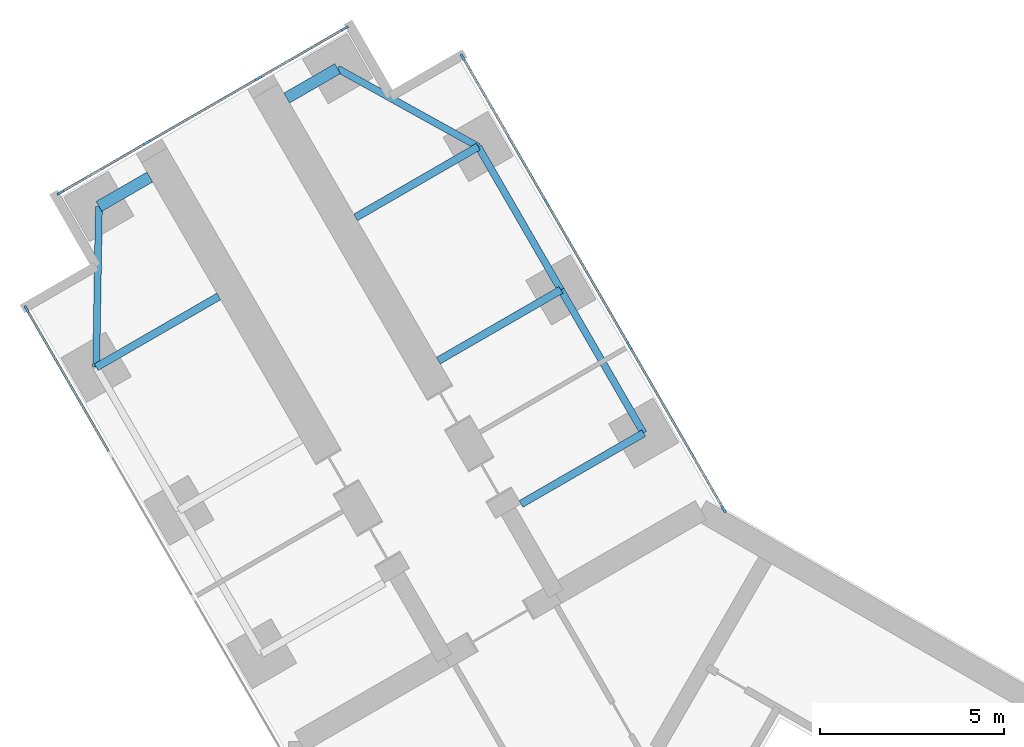
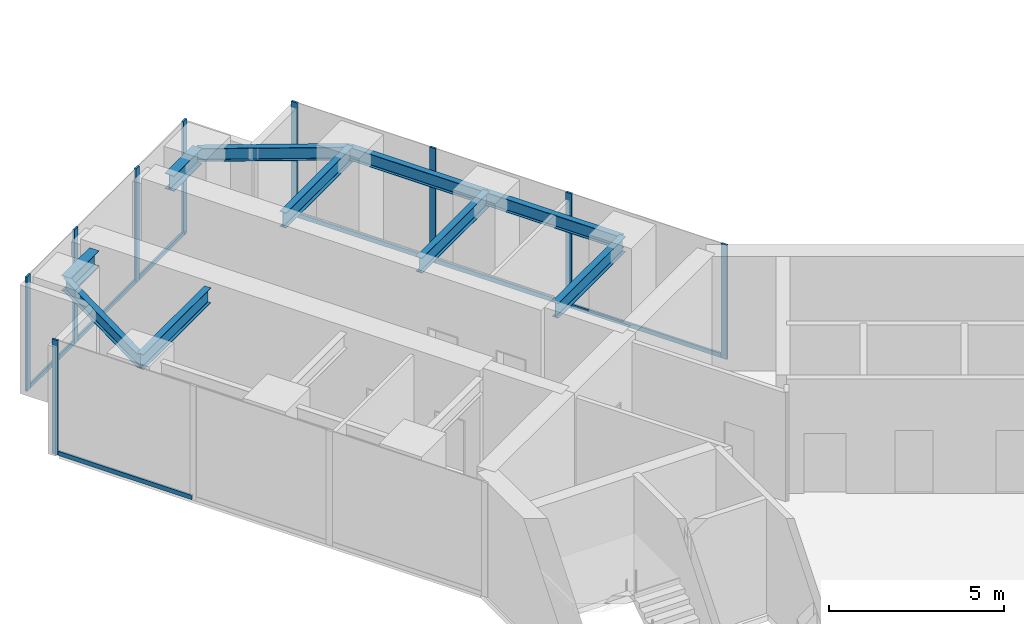
# One storey, part 6 of 22: 16 members, 10 beams, 3 elements without a shape of their own.
"""IFC4 building model written with IfcOpenShell, lengths in metres."""

from ifc_helpers import new_model, si_unit, direction, frame, origin, origin_2d, place, context, subcontext, project, spatial, rectangle, i_section, extrude, material, material_profile, profile_set, type_object, element, aggregate, save


model = new_model("IFC4")

# Units and contexts
model_context = context("Model", 3, precision=1e-05, world=origin(), true_north=direction((0.0, 1.0)))
body_context = subcontext(model_context, "Body", "Model", "MODEL_VIEW")
ifc_project = project(units=[si_unit("LENGTHUNIT", "METRE"), si_unit("AREAUNIT", "SQUARE_METRE"), si_unit("VOLUMEUNIT", "CUBIC_METRE"), si_unit("PLANEANGLEUNIT", "RADIAN"), si_unit("MASSUNIT", "GRAM", prefix="KILO")], contexts=[model_context])

# Site, building, storey
site_placement = place(None, origin())
site = spatial("IfcSite", under=ifc_project, at=site_placement, CompositionType="ELEMENT")
building_placement = place(site_placement, origin())
building = spatial("IfcBuilding", under=site, at=building_placement, Name="Upepo Twin Towers", CompositionType="ELEMENT")
storey_placement = place(building_placement, frame((0.0, 0.0, 97.5)))
storey = spatial("IfcBuildingStorey", under=building, at=storey_placement, Name="L23", CompositionType="ELEMENT", Elevation=97.5)

# Beams
ifc_material_1 = material(Name="Steel S355", Category="steel")
ifc_material_profile_1 = material_profile(ifc_material_1, i_section(OverallWidth=0.1904296875, OverallDepth=0.45703125, WebThickness=0.009033203125, FlangeThickness=0.014404296875, FilletRadius=0.01025390625, at=origin_2d()), Name="UB 457x191x74")
ifc_profile_set_1 = profile_set([ifc_material_profile_1], Name="Steel S355")
beam_type_1 = type_object("IfcBeamType", Name="Beam UB 457x191x74", PredefinedType="BEAM", material=ifc_profile_set_1)
beam_1_placement = place(storey_placement, frame((-16.446044921875, 16.485595703125, 3.571533203125), z_axis=(0.016803880528, 0.999858804832, 0.0), x_axis=(-0.999858804832, 0.016803880528, 0.0)))
element("IfcBeam", 1, at=beam_1_placement, inside=storey, type_object=beam_type_1, Name="T1 nose edge beam BL", PredefinedType="BEAM", context=body_context, shape_type="SweptSolid", body=[
    extrude(i_section(OverallWidth=0.1904296875, OverallDepth=0.45703125, WebThickness=0.009033203125, FlangeThickness=0.014404296875, FilletRadius=0.01025390625, at=origin_2d()), origin(), (0.0, 0.0, 1.0), 4.373291015625),
])
beam_2_placement = place(storey_placement, frame((-1.553955078125, 14.69140625, 3.571533203125), z_axis=(-0.500013631625, 0.866017533419, 0.0), x_axis=(-0.866017533419, -0.500013631625, 0.0)))
element("IfcBeam", 2, at=beam_2_placement, inside=storey, type_object=beam_type_1, Name="T1 edge beam BR 13.5-18.0", PredefinedType="BEAM", context=body_context, shape_type="SweptSolid", body=[
    extrude(i_section(OverallWidth=0.1904296875, OverallDepth=0.45703125, WebThickness=0.009033203125, FlangeThickness=0.014404296875, FilletRadius=0.01025390625, at=origin_2d()), origin(), (0.0, 0.0, 1.0), 4.499755859375),
])
beam_3_placement = place(storey_placement, frame((-3.803955078125, 18.58837890625, 3.571533203125), z_axis=(-0.499990139034, 0.866031096941, 0.0), x_axis=(-0.866031096941, -0.499990139034, 0.0)))
element("IfcBeam", 3, at=beam_3_placement, inside=storey, type_object=beam_type_1, Name="T1 edge beam BR 18.0-22.5", PredefinedType="BEAM", context=body_context, shape_type="SweptSolid", body=[
    extrude(i_section(OverallWidth=0.1904296875, OverallDepth=0.45703125, WebThickness=0.009033203125, FlangeThickness=0.014404296875, FilletRadius=0.01025390625, at=origin_2d()), origin(), (0.0, 0.0, 1.0), 4.5),
])
beam_4_placement = place(storey_placement, frame((-6.053955078125, 22.485595703125, 3.571533203125), z_axis=(-0.874312600038, 0.485363242752, 0.0), x_axis=(-0.485363242752, -0.874312600038, 0.0)))
element("IfcBeam", 4, at=beam_4_placement, inside=storey, type_object=beam_type_1, Name="T1 nose edge beam BR", PredefinedType="BEAM", context=body_context, shape_type="SweptSolid", body=[
    extrude(i_section(OverallWidth=0.1904296875, OverallDepth=0.45703125, WebThickness=0.009033203125, FlangeThickness=0.014404296875, FilletRadius=0.01025390625, at=origin_2d()), origin(), (0.0, 0.0, 1.0), 4.373046875),
])
ifc_material_2 = material(Name="Steel S355", Category="steel")
ifc_material_profile_2 = material_profile(ifc_material_2, i_section(OverallWidth=0.209228515625, OverallDepth=0.533203125, WebThickness=0.010009765625, FlangeThickness=0.015625, FilletRadius=0.0126953125, at=origin_2d()), Name="UB 533x210x92")
ifc_profile_set_2 = profile_set([ifc_material_profile_2], Name="Steel S355")
beam_type_2 = type_object("IfcBeamType", Name="Beam UB 533x210x92", PredefinedType="BEAM", material=ifc_profile_set_2)
for number, where, z_axis, x_axis, name in (
    (5, (-16.446044921875, 16.485595703125, 3.533447265625), (0.866006051527, 0.500033517596, 0.0), (-0.500033517596, 0.866006051527, 0.0), "T1 girder BL at 22.5"),
    (6, (-1.553955078125, 14.69140625, 3.533447265625), (-0.866006051527, -0.500033517596, 0.0), (0.500033517596, -0.866006051527, 0.0), "T1 girder BR at 13.5"),
):
    element("IfcBeam", number, at=place(storey_placement, frame(where, z_axis=z_axis, x_axis=x_axis)), inside=storey, type_object=beam_type_2, Name=name, PredefinedType="BEAM", context=body_context, shape_type="SweptSolid", body=[
        extrude(i_section(OverallWidth=0.209228515625, OverallDepth=0.533203125, WebThickness=0.010009765625, FlangeThickness=0.015625, FilletRadius=0.0126953125, at=origin_2d()), origin(), (0.0, 0.0, 1.0), 3.849853515625),
    ])
beam_5_placement = place(storey_placement, frame((-3.803955078125, 18.58837890625, 3.533447265625), z_axis=(-0.866033512162, -0.499985955615, 0.0), x_axis=(0.499985955615, -0.866033512162, 0.0)))
element("IfcBeam", 7, at=beam_5_placement, inside=storey, type_object=beam_type_2, Name="T1 girder BR at 18.0", PredefinedType="BEAM", context=body_context, shape_type="SweptSolid", body=[
    extrude(i_section(OverallWidth=0.209228515625, OverallDepth=0.533203125, WebThickness=0.010009765625, FlangeThickness=0.015625, FilletRadius=0.0126953125, at=origin_2d()), origin(), (0.0, 0.0, 1.0), 3.849609375),
])
beam_6_placement = place(storey_placement, frame((-6.053955078125, 22.485595703125, 3.533447265625), z_axis=(-0.866006051527, -0.500033517596, 0.0), x_axis=(0.500033517596, -0.866006051527, 0.0)))
element("IfcBeam", 8, at=beam_6_placement, inside=storey, type_object=beam_type_2, Name="T1 girder BR at 22.5", PredefinedType="BEAM", context=body_context, shape_type="SweptSolid", body=[
    extrude(i_section(OverallWidth=0.209228515625, OverallDepth=0.533203125, WebThickness=0.010009765625, FlangeThickness=0.015625, FilletRadius=0.0126953125, at=origin_2d()), origin(), (0.0, 0.0, 1.0), 3.849853515625),
])
ifc_material_3 = material(Name="Steel S355", Category="steel")
ifc_material_profile_3 = material_profile(ifc_material_3, i_section(OverallWidth=0.31201171875, OverallDepth=0.54345703125, WebThickness=0.0126953125, FlangeThickness=0.020263671875, FilletRadius=0.0126953125, at=origin_2d()), Name="UB 533x312x150")
ifc_profile_set_3 = profile_set([ifc_material_profile_3], Name="Steel S355")
beam_type_3 = type_object("IfcBeamType", Name="Beam UB 533x312x150", PredefinedType="BEAM", material=ifc_profile_set_3)
for number, where, z_axis, x_axis, name in (
    (9, (-16.37255859375, 20.858154296875, 3.5283203125), (0.865989903783, 0.500061482766, 0.0), (-0.500061482766, 0.865989903783, 0.0), "T1 nose beam BL"),
    (10, (-9.87744140625, 24.608154296875, 3.5283203125), (-0.865989903783, -0.500061482766, 0.0), (0.500061482766, -0.865989903783, 0.0), "T1 nose beam BR"),
):
    element("IfcBeam", number, at=place(storey_placement, frame(where, z_axis=z_axis, x_axis=x_axis)), inside=storey, type_object=beam_type_3, Name=name, PredefinedType="BEAM", context=body_context, shape_type="SweptSolid", body=[
        extrude(i_section(OverallWidth=0.31201171875, OverallDepth=0.54345703125, WebThickness=0.0126953125, FlangeThickness=0.020263671875, FilletRadius=0.0126953125, at=origin_2d()), origin(), (0.0, 0.0, 1.0), 1.599853515625),
    ])

# Curtain wall, member
ifc_material_4 = material(Name="Aluminium and fritted glass", Category="aluminium")
curtain_wall_type = type_object("IfcCurtainWallType", Name="Tower curtain wall TW2, fritted glass", PredefinedType="NOTDEFINED", material=ifc_material_4)
curtain_wall_1_placement = place(storey_placement, origin())
curtain_wall_1 = element("IfcCurtainWall", 11, at=curtain_wall_1_placement, inside=storey, type_object=curtain_wall_type, Name="T1 L23 wing B flank L curtain wall", PredefinedType="NOTDEFINED")
ifc_material_5 = material(Name="Aluminium mullion", Category="aluminium")
ifc_material_profile_4 = material_profile(ifc_material_5, rectangle(XDim=0.06494140625, YDim=0.199951171875, at=origin_2d()), Name="MULLION 65x200")
ifc_profile_set_4 = profile_set([ifc_material_profile_4], Name="Aluminium mullion")
member_type_1 = type_object("IfcMemberType", Name="Mullion 65x200 TW2", PredefinedType="MULLION", material=ifc_profile_set_4)
member_1_placement = place(storey_placement, frame((-18.341064453125, 18.067626953125, 0.0), z_axis=(0.0, 0.0, 1.0), x_axis=(-0.866025397833, -0.500000010308, 0.0)))
member_1 = element("IfcMember", 12, at=member_1_placement, type_object=member_type_1, Name="T1 L23 wing B flank L curtain wall mullion 4", PredefinedType="MULLION", context=body_context, shape_type="SweptSolid", body=[
    extrude(rectangle(XDim=0.06494140625, YDim=0.199951171875, at=origin_2d()), origin(), (0.0, 0.0, 1.0), 4.0),
])

# Curtain wall, members
curtain_wall_2_placement = place(storey_placement, origin())
curtain_wall_2 = element("IfcCurtainWall", 13, at=curtain_wall_2_placement, inside=storey, type_object=curtain_wall_type, Name="T1 L23 wing B flank R curtain wall", PredefinedType="NOTDEFINED")
member_2_placement = place(storey_placement, frame((-6.4765625, 24.91748046875, 0.0), z_axis=(0.0, 0.0, 1.0), x_axis=(0.866025397833, 0.500000010308, 0.0)))
member_2 = element("IfcMember", 14, at=member_2_placement, type_object=member_type_1, Name="T1 L23 wing B flank R curtain wall mullion 1", PredefinedType="MULLION", context=body_context, shape_type="SweptSolid", body=[
    extrude(rectangle(XDim=0.06494140625, YDim=0.199951171875, at=origin_2d()), origin(), (0.0, 0.0, 1.0), 4.0),
])
member_3_placement = place(storey_placement, frame((-4.192626953125, 20.9619140625, 0.0), z_axis=(0.0, 0.0, 1.0), x_axis=(0.866025397833, 0.500000010308, 0.0)))
member_3 = element("IfcMember", 15, at=member_3_placement, type_object=member_type_1, Name="T1 L23 wing B flank R curtain wall mullion 2", PredefinedType="MULLION", context=body_context, shape_type="SweptSolid", body=[
    extrude(rectangle(XDim=0.06494140625, YDim=0.199951171875, at=origin_2d()), origin(), (0.0, 0.0, 1.0), 4.0),
])
member_4_placement = place(storey_placement, frame((-1.942626953125, 17.06494140625, 0.0), z_axis=(0.0, 0.0, 1.0), x_axis=(0.866025397833, 0.500000010308, 0.0)))
member_4 = element("IfcMember", 16, at=member_4_placement, type_object=member_type_1, Name="T1 L23 wing B flank R curtain wall mullion 3", PredefinedType="MULLION", context=body_context, shape_type="SweptSolid", body=[
    extrude(rectangle(XDim=0.06494140625, YDim=0.199951171875, at=origin_2d()), origin(), (0.0, 0.0, 1.0), 4.0),
])
member_5_placement = place(storey_placement, frame((0.62255859375, 12.621826171875, 0.0), z_axis=(0.0, 0.0, 1.0), x_axis=(0.866025397833, 0.500000010308, 0.0)))
member_5 = element("IfcMember", 17, at=member_5_placement, type_object=member_type_1, Name="T1 L23 wing B flank R curtain wall mullion 4", PredefinedType="MULLION", context=body_context, shape_type="SweptSolid", body=[
    extrude(rectangle(XDim=0.06494140625, YDim=0.199951171875, at=origin_2d()), origin(), (0.0, 0.0, 1.0), 4.0),
])

curtain_wall_3_placement = place(storey_placement, origin())
curtain_wall_3 = element("IfcCurtainWall", 18, at=curtain_wall_3_placement, inside=storey, type_object=curtain_wall_type, Name="T1 L23 wing B nose curtain wall", PredefinedType="NOTDEFINED")
member_6_placement = place(storey_placement, frame((-9.68115234375, 25.703125, 0.0), z_axis=(0.0, 0.0, 1.0), x_axis=(0.500000030502, -0.866025386174, 0.0)))
member_6 = element("IfcMember", 19, at=member_6_placement, type_object=member_type_1, Name="T1 L23 wing B nose curtain wall mullion 1", PredefinedType="MULLION", context=body_context, shape_type="SweptSolid", body=[
    extrude(rectangle(XDim=0.06494140625, YDim=0.199951171875, at=origin_2d()), origin(), (0.0, 0.0, 1.0), 4.0),
])
member_7_placement = place(storey_placement, frame((-12.034423828125, 24.34423828125, 0.0), z_axis=(0.0, 0.0, 1.0), x_axis=(0.500000030502, -0.866025386174, 0.0)))
member_7 = element("IfcMember", 20, at=member_7_placement, type_object=member_type_1, Name="T1 L23 wing B nose curtain wall mullion 2", PredefinedType="MULLION", context=body_context, shape_type="SweptSolid", body=[
    extrude(rectangle(XDim=0.06494140625, YDim=0.199951171875, at=origin_2d()), origin(), (0.0, 0.0, 1.0), 4.0),
])
member_8_placement = place(storey_placement, frame((-15.0654296875, 22.59423828125, 0.0), z_axis=(0.0, 0.0, 1.0), x_axis=(0.500000030502, -0.866025386174, 0.0)))
member_8 = element("IfcMember", 21, at=member_8_placement, type_object=member_type_1, Name="T1 L23 wing B nose curtain wall mullion 3", PredefinedType="MULLION", context=body_context, shape_type="SweptSolid", body=[
    extrude(rectangle(XDim=0.06494140625, YDim=0.199951171875, at=origin_2d()), origin(), (0.0, 0.0, 1.0), 4.0),
])
member_9_placement = place(storey_placement, frame((-17.4189453125, 21.235595703125, 0.0), z_axis=(0.0, 0.0, 1.0), x_axis=(0.500000030502, -0.866025386174, 0.0)))
member_9 = element("IfcMember", 22, at=member_9_placement, type_object=member_type_1, Name="T1 L23 wing B nose curtain wall mullion 4", PredefinedType="MULLION", context=body_context, shape_type="SweptSolid", body=[
    extrude(rectangle(XDim=0.06494140625, YDim=0.199951171875, at=origin_2d()), origin(), (0.0, 0.0, 1.0), 4.0),
])

# Member
ifc_material_6 = material(Name="Aluminium transom", Category="aluminium")
ifc_material_profile_5 = material_profile(ifc_material_6, rectangle(XDim=0.06494140625, YDim=0.14990234375, at=origin_2d()), Name="TRANSOM 65x150")
ifc_profile_set_5 = profile_set([ifc_material_profile_5], Name="Aluminium transom")
member_type_2 = type_object("IfcMemberType", Name="Transom 65x150 TW2", PredefinedType="USERDEFINED", material=ifc_profile_set_5)
member_10_placement = place(storey_placement, frame((-16.073486328125, 14.14013671875, 0.074951171875), z_axis=(-0.499982167615, 0.866035699072, 0.0), x_axis=(-0.866035699072, -0.499982167615, 0.0)))
member_10 = element("IfcMember", 23, at=member_10_placement, type_object=member_type_2, Name="T1 L23 wing B flank L curtain wall transom 3", ObjectType="TRANSOM", PredefinedType="USERDEFINED", context=body_context, shape_type="SweptSolid", body=[
    extrude(rectangle(XDim=0.06494140625, YDim=0.14990234375, at=origin_2d()), origin(), (0.0, 0.0, 1.0), 4.502685546875),
])

aggregate(curtain_wall_1, [member_1, member_10])

member_11_placement = place(storey_placement, frame((-6.460205078125, 24.889404296875, 0.074951171875), z_axis=(0.500005646842, -0.866022143554, 0.0), x_axis=(0.866022143554, 0.500005646842, 0.0)))
member_11 = element("IfcMember", 24, at=member_11_placement, type_object=member_type_2, Name="T1 L23 wing B flank R curtain wall transom 1", ObjectType="TRANSOM", PredefinedType="USERDEFINED", context=body_context, shape_type="SweptSolid", body=[
    extrude(rectangle(XDim=0.06494140625, YDim=0.14990234375, at=origin_2d()), origin(), (0.0, 0.0, 1.0), 4.50244140625),
])

member_12_placement = place(storey_placement, frame((-4.176513671875, 20.933837890625, 0.074951171875), z_axis=(0.500005184116, -0.866022410713, 0.0), x_axis=(0.866022410713, 0.500005184116, 0.0)))
member_12 = element("IfcMember", 25, at=member_12_placement, type_object=member_type_2, Name="T1 L23 wing B flank R curtain wall transom 2", ObjectType="TRANSOM", PredefinedType="USERDEFINED", context=body_context, shape_type="SweptSolid", body=[
    extrude(rectangle(XDim=0.06494140625, YDim=0.14990234375, at=origin_2d()), origin(), (0.0, 0.0, 1.0), 4.43505859375),
])

member_13_placement = place(storey_placement, frame((-1.926513671875, 17.036865234375, 0.074951171875), z_axis=(0.499985288567, -0.866033897268, 0.0), x_axis=(0.866033897268, 0.499985288567, 0.0)))
member_13 = element("IfcMember", 26, at=member_13_placement, type_object=member_type_2, Name="T1 L23 wing B flank R curtain wall transom 3", ObjectType="TRANSOM", PredefinedType="USERDEFINED", context=body_context, shape_type="SweptSolid", body=[
    extrude(rectangle(XDim=0.06494140625, YDim=0.14990234375, at=origin_2d()), origin(), (0.0, 0.0, 1.0), 5.065673828125),
])

aggregate(curtain_wall_2, [member_2, member_3, member_4, member_5, member_11, member_12, member_13])

member_14_placement = place(storey_placement, frame((-9.709228515625, 25.686767578125, 0.074951171875), z_axis=(-0.866036909293, -0.499980071345, 0.0), x_axis=(0.499980071345, -0.866036909293, 0.0)))
member_14 = element("IfcMember", 27, at=member_14_placement, type_object=member_type_2, Name="T1 L23 wing B nose curtain wall transom 1", ObjectType="TRANSOM", PredefinedType="USERDEFINED", context=body_context, shape_type="SweptSolid", body=[
    extrude(rectangle(XDim=0.06494140625, YDim=0.14990234375, at=origin_2d()), origin(), (0.0, 0.0, 1.0), 2.65234375),
])

member_15_placement = place(storey_placement, frame((-12.0625, 24.328125, 0.074951171875), z_axis=(-0.866025804792, -0.499999305434, 0.0), x_axis=(0.499999305434, -0.866025804792, 0.0)))
member_15 = element("IfcMember", 28, at=member_15_placement, type_object=member_type_2, Name="T1 L23 wing B nose curtain wall transom 2", ObjectType="TRANSOM", PredefinedType="USERDEFINED", context=body_context, shape_type="SweptSolid", body=[
    extrude(rectangle(XDim=0.06494140625, YDim=0.14990234375, at=origin_2d()), origin(), (0.0, 0.0, 1.0), 3.43505859375),
])

member_16_placement = place(storey_placement, frame((-15.09375, 22.578125, 0.074951171875), z_axis=(-0.865997053448, -0.500049101008, 0.0), x_axis=(0.500049101008, -0.865997053448, 0.0)))
member_16 = element("IfcMember", 29, at=member_16_placement, type_object=member_type_2, Name="T1 L23 wing B nose curtain wall transom 3", ObjectType="TRANSOM", PredefinedType="USERDEFINED", context=body_context, shape_type="SweptSolid", body=[
    extrude(rectangle(XDim=0.06494140625, YDim=0.14990234375, at=origin_2d()), origin(), (0.0, 0.0, 1.0), 2.652587890625),
])

aggregate(curtain_wall_3, [member_6, member_7, member_8, member_9, member_14, member_15, member_16])

save(model, "model.ifc")
